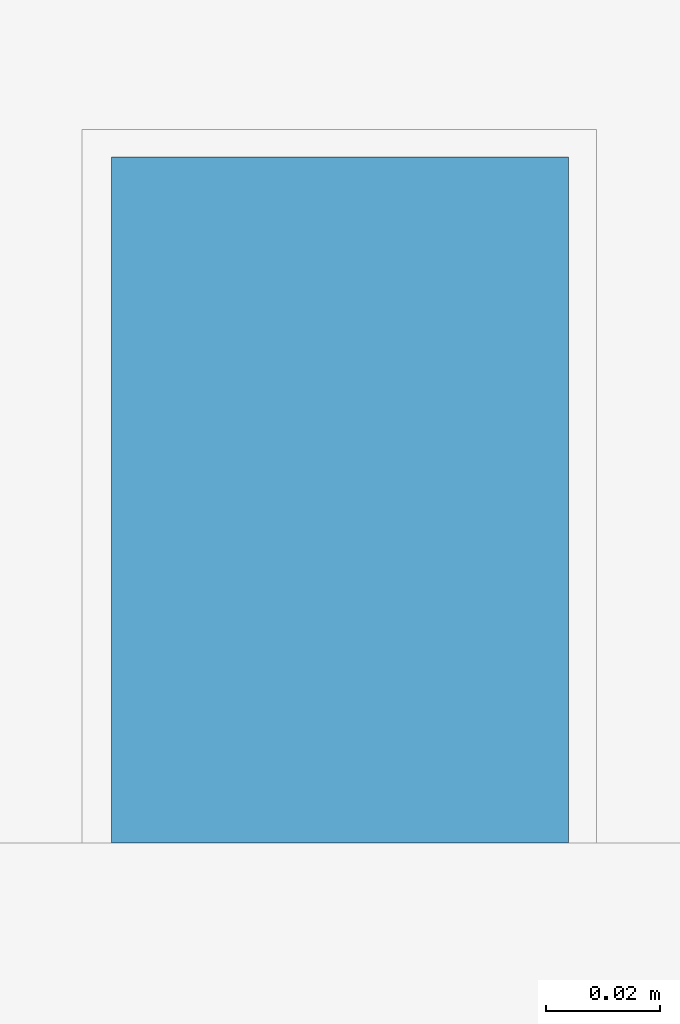
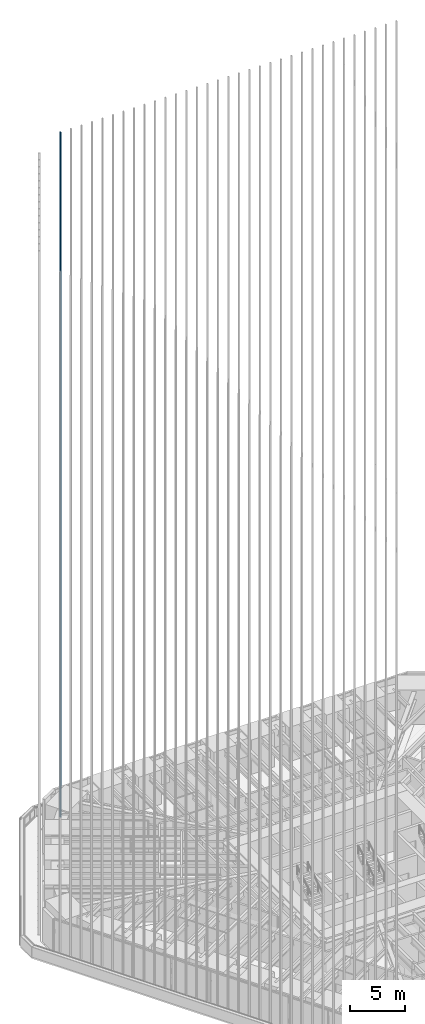
# One storey, part 149 of 238: 1 member, 1 element without a shape of its own.
"""IFC4 building model written with IfcOpenShell, lengths in metres."""

from ifc_helpers import new_model, si_unit, direction, frame, origin, origin_2d, place, context, subcontext, project, spatial, rectangle, extrude, material, material_profile, profile_set, type_object, element, aggregate, save


model = new_model("IFC4")

# Units and contexts
model_context = context("Model", 3, precision=1e-05, world=origin(), true_north=direction((0.0, 1.0)))
body_context = subcontext(model_context, "Body", "Model", "MODEL_VIEW")
ifc_project = project(units=[si_unit("LENGTHUNIT", "METRE"), si_unit("AREAUNIT", "SQUARE_METRE"), si_unit("VOLUMEUNIT", "CUBIC_METRE"), si_unit("PLANEANGLEUNIT", "RADIAN"), si_unit("MASSUNIT", "GRAM", prefix="KILO")], contexts=[model_context])

# Site, building, storey
site_placement = place(None, origin())
site = spatial("IfcSite", under=ifc_project, at=site_placement, CompositionType="ELEMENT")
building_placement = place(site_placement, origin())
building = spatial("IfcBuilding", under=site, at=building_placement, Name="Sandreach Pilgrim Tower", CompositionType="ELEMENT")
storey_placement = place(building_placement, frame((0.0, 0.0, 96.800048828125)))
storey = spatial("IfcBuildingStorey", under=building, at=storey_placement, Name="L23", CompositionType="ELEMENT", Elevation=96.800048828125)

# Curtain wall, member
ifc_material_1 = material(Name="Aluminium framed curtain wall", Category="aluminium")
curtain_wall_type = type_object("IfcCurtainWallType", Name="Hotel tower curtain wall", PredefinedType="NOTDEFINED", material=ifc_material_1)
curtain_wall_placement = place(storey_placement, origin())
curtain_wall = element("IfcCurtainWall", 1, at=curtain_wall_placement, inside=storey, type_object=curtain_wall_type, Name="CW-2 L23 N", PredefinedType="NOTDEFINED")
ifc_material_2 = material(Name="Extruded terracotta on aluminium core", Category="masonry")
ifc_material_profile = material_profile(ifc_material_2, rectangle(XDim=0.080078125, YDim=0.1201171875, at=origin_2d()), Name="TBN 80X120")
ifc_profile_set = profile_set([ifc_material_profile], Name="Extruded terracotta on aluminium core")
member_type = type_object("IfcMemberType", Name="Terracotta baguette north", PredefinedType="USERDEFINED", material=ifc_profile_set)
member_placement = place(storey_placement, frame((-17.58984375, 22.853759765625, 0.0), z_axis=(0.0, 0.0, 1.0), x_axis=(1.0, 0.0, 0.0)))
member = element("IfcMember", 2, at=member_placement, type_object=member_type, Name="Baguette Z2 N01", ObjectType="BAGUETTE", PredefinedType="USERDEFINED", context=body_context, shape_type="SweptSolid", body=[
    extrude(rectangle(XDim=0.080078125, YDim=0.1201171875, at=origin_2d()), origin(), (0.0, 0.0, 1.0), 75.83984375),
])
aggregate(curtain_wall, [member])

save(model, "model.ifc")
